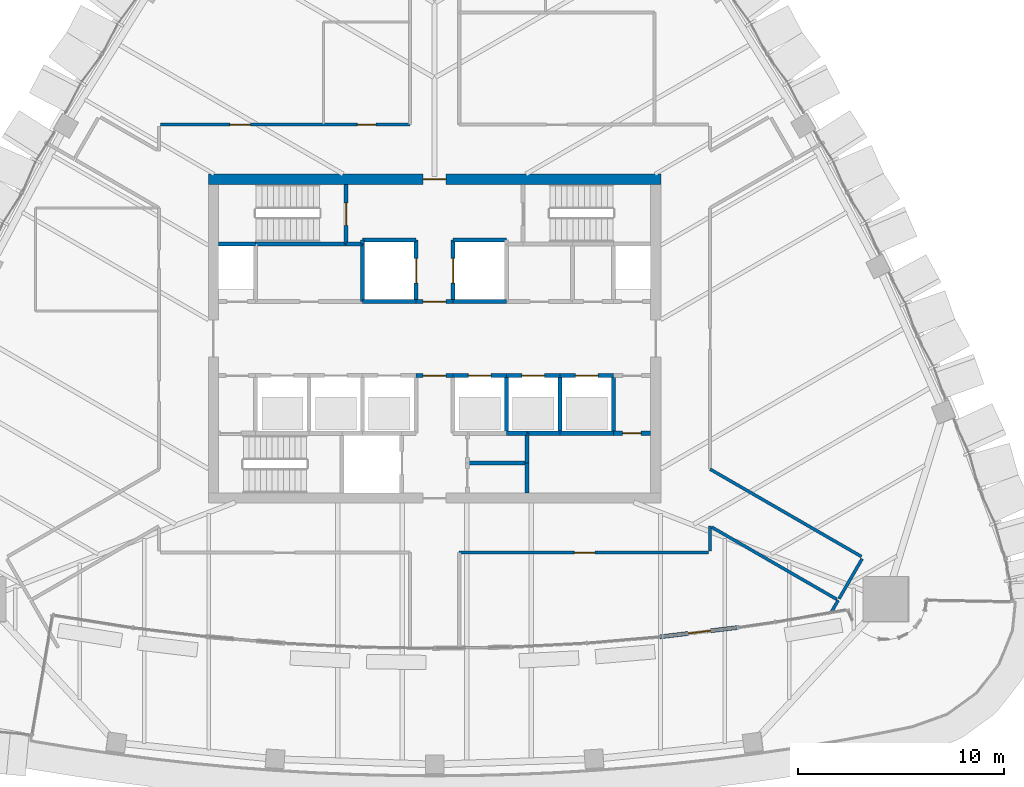
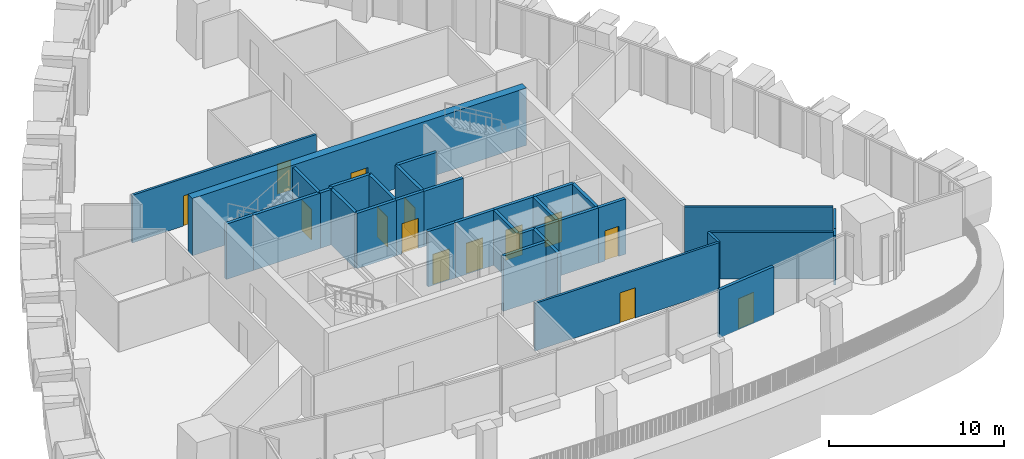
# One storey, part 14 of 22: 36 walls, 14 doors, 14 openings.
"""IFC4 building model written with IfcOpenShell, lengths in metres."""

import ifcopenshell
import ifcopenshell.guid

model = None  # the IFC model being written
_history = None  # IfcOwnerHistory: only IFC2X3 demands one
_inside = {}  # id of a spatial element -> (the spatial element, [elements in it])
_under = {}  # id of a project, library or spatial element -> (it, [spatial elements below it])
_declared = {}  # id of a project -> (the project, [libraries it declares])
_typed = {}  # id of a type object -> (the type object, [elements of that type])
_made_of = {}  # id of a material, layer set ... -> (it, [elements and type objects made of it])


def new_model(schema):
    """Start an empty IFC model of exactly this schema.

    Asked for "IFC4X3", IfcOpenShell would pick the latest addendum, in which some entities
    have other attributes; the version numbers below select the first issue.
    IFC2X3 requires an IfcOwnerHistory on every rooted entity: one is made here for all.
    """
    global model, _history
    if schema == "IFC4X3":
        model = ifcopenshell.file(schema_version=(4, 3, 0, 0))
    else:
        model = ifcopenshell.file(schema=schema)
    _inside.clear()
    _under.clear()
    _declared.clear()
    _typed.clear()
    _made_of.clear()
    _history = None
    if model.schema == "IFC2X3":
        org = make("IfcOrganization", Name="unknown")
        user = make(
            "IfcPersonAndOrganization",
            ThePerson=make("IfcPerson", FamilyName="unknown"),
            TheOrganization=org,
        )
        app = make(
            "IfcApplication",
            ApplicationDeveloper=org,
            Version="unknown",
            ApplicationFullName="unknown",
            ApplicationIdentifier="unknown",
        )
        _history = make(
            "IfcOwnerHistory",
            OwningUser=user,
            OwningApplication=app,
            ChangeAction="ADDED",
            CreationDate=0,
        )
    return model


def make(cls, **values):
    """One entity of the class cls with the attributes given. An attribute that is None is left unset."""
    return model.create_entity(
        cls, **{name: value for name, value in values.items() if value is not None}
    )


def rooted(cls, **values):
    """An entity with a GlobalId (a new one), such as an element, a storey or a relation."""
    return make(cls, GlobalId=ifcopenshell.guid.new(), OwnerHistory=_history, **values)


def si_unit(unit_type, name, prefix=None):
    """IfcSIUnit, for example si_unit("LENGTHUNIT", "METRE", prefix="MILLI")."""
    return make("IfcSIUnit", UnitType=unit_type, Prefix=prefix, Name=name)


def assignment(units):
    """IfcUnitAssignment: the units of a project."""
    return None if units is None else make("IfcUnitAssignment", Units=units)


def point(xyz):
    """IfcCartesianPoint."""
    return None if xyz is None else make("IfcCartesianPoint", Coordinates=xyz)


def direction(xyz):
    """IfcDirection."""
    return None if xyz is None else make("IfcDirection", DirectionRatios=xyz)


def frame(location, z_axis=None, x_axis=None):
    """IfcAxis2Placement3D, a coordinate frame: its origin and axes. An axis left out is left unset."""
    return make(
        "IfcAxis2Placement3D",
        Location=point(location),
        Axis=direction(z_axis),
        RefDirection=direction(x_axis),
    )


def frame_2d(location, x_axis=None):
    """IfcAxis2Placement2D, a coordinate frame in the plane: its origin and x axis."""
    return make(
        "IfcAxis2Placement2D", Location=point(location), RefDirection=direction(x_axis)
    )


def origin():
    """The frame at (0, 0, 0) with its axes left unset."""
    return frame((0.0, 0.0, 0.0))


def place(relative_to, where):
    """IfcLocalPlacement: puts the frame where relative to a parent placement (None: the world)."""
    return make(
        "IfcLocalPlacement", PlacementRelTo=relative_to, RelativePlacement=where
    )


def context(
    kind, dimensions, precision=None, world=None, true_north=None, identifier=None
):
    """IfcGeometricRepresentationContext, for example the 3D "Model" context."""
    return make(
        "IfcGeometricRepresentationContext",
        ContextIdentifier=identifier,
        ContextType=kind,
        CoordinateSpaceDimension=dimensions,
        Precision=precision,
        WorldCoordinateSystem=world,
        TrueNorth=true_north,
    )


def subcontext(parent, identifier, kind, view, scale=None):
    """IfcGeometricRepresentationSubContext, for example "Body" below "Model"."""
    return make(
        "IfcGeometricRepresentationSubContext",
        ContextIdentifier=identifier,
        ContextType=kind,
        ParentContext=parent,
        TargetScale=scale,
        TargetView=view,
    )


def project(units=None, contexts=None):
    """IfcProject with its units and contexts."""
    return rooted(
        "IfcProject",
        Name="project",
        RepresentationContexts=contexts,
        UnitsInContext=assignment(units),
    )


def spatial(cls, under=None, at=None, **own):
    """A site, building, storey or space (cls), placed at a placement, below another one or the project."""
    s = rooted(cls, ObjectPlacement=at, **own)
    if under is not None:
        _under.setdefault(under.id(), (under, []))[1].append(s)
    return s


def profile(cls, at=None, kind="AREA", **sizes):
    """A parametric profile (cls). Its sizes go by their IFC names, for example OverallWidth=200.0."""
    return make(cls, ProfileType=kind, Position=at, **sizes)


def rectangle(**sizes):
    """IfcRectangleProfileDef."""
    return profile("IfcRectangleProfileDef", **sizes)


def extrude(swept, where, along, depth):
    """IfcExtrudedAreaSolid: the profile swept, set in the frame where, extruded along a direction by depth."""
    return make(
        "IfcExtrudedAreaSolid",
        SweptArea=swept,
        Position=where,
        ExtrudedDirection=direction(along),
        Depth=depth,
    )


def shape(context_of_items, identifier, shape_type, items):
    """IfcShapeRepresentation: the items that make up one representation, for example the "Body"."""
    return make(
        "IfcShapeRepresentation",
        ContextOfItems=context_of_items,
        RepresentationIdentifier=identifier,
        RepresentationType=shape_type,
        Items=items,
    )


def material(Name=None, Category=None):
    """IfcMaterial."""
    return make("IfcMaterial", Name=Name, Category=Category)


def layer(
    of_material, thickness, ventilated=None, Name=None, Category=None, Priority=None
):
    """IfcMaterialLayer: one layer of a wall or slab, of a material (None: an air gap)."""
    return make(
        "IfcMaterialLayer",
        Material=of_material,
        LayerThickness=thickness,
        IsVentilated=ventilated,
        Name=Name,
        Category=Category,
        Priority=Priority,
    )


def layer_set(layers, Name=None):
    """IfcMaterialLayerSet."""
    return make("IfcMaterialLayerSet", MaterialLayers=layers, LayerSetName=Name)


def made_of(thing, what):
    """Note that an element or type object is made of a material, layer set ...; save() writes the relation."""
    if what is not None:
        _made_of.setdefault(what.id(), (what, []))[1].append(thing)
    return thing


def type_object(cls, material=None, **own):
    """A type object (cls), such as IfcWallType, which elements share."""
    return made_of(rooted(cls, **own), material)


def element(
    cls,
    number,
    at=None,
    inside=None,
    cuts=None,
    type_object=None,
    material=None,
    context=None,
    identifier="Body",
    shape_type=None,
    held_by="IfcProductDefinitionShape",
    body=None,
    shapes=None,
    **own,
):
    """One element of the class cls, such as IfcWall. Its Tag is "e" and its number.

    at: its placement. inside: the storey or other place that contains it. cuts: it is an
    opening in that element (IfcRelVoidsElement). A single representation is given by context,
    identifier, shape_type and body (its items); several are given by shapes. held_by: the class
    of the entity that holds the representations. save() writes the other relations.
    """
    e = rooted(cls, Tag="e%d" % number, ObjectPlacement=at, **own)
    if body is not None:
        shapes = [shape(context, identifier, shape_type, body)]
    if shapes is not None:
        e.Representation = make(held_by, Representations=shapes)
    if inside is not None:
        _inside.setdefault(inside.id(), (inside, []))[1].append(e)
    if cuts is not None:
        rooted(
            "IfcRelVoidsElement", RelatingBuildingElement=cuts, RelatedOpeningElement=e
        )
    if type_object is not None:
        _typed.setdefault(type_object.id(), (type_object, []))[1].append(e)
    return made_of(e, material)


def fill(opening, filler):
    """IfcRelFillsElement: the door or window that sits in an opening."""
    return rooted(
        "IfcRelFillsElement",
        RelatingOpeningElement=opening,
        RelatedBuildingElement=filler,
    )


def aggregate(whole, parts):
    """IfcRelAggregates: a whole, such as a stair, and the parts it consists of."""
    return rooted("IfcRelAggregates", RelatingObject=whole, RelatedObjects=parts)


def save(model, path):
    """Write the relations noted so far, then the file.

    IfcRelAggregates (storeys below a building ...), IfcRelContainedInSpatialStructure (elements
    in a storey), IfcRelDefinesByType, IfcRelAssociatesMaterial and IfcRelDeclares: one each for
    every whole, place, type object, material and project.
    """
    for whole, parts in _under.values():
        aggregate(whole, parts)
    for where, things in _inside.values():
        rooted(
            "IfcRelContainedInSpatialStructure",
            RelatedElements=things,
            RelatingStructure=where,
        )
    for kind, things in _typed.values():
        rooted("IfcRelDefinesByType", RelatedObjects=things, RelatingType=kind)
    for what, things in _made_of.values():
        rooted("IfcRelAssociatesMaterial", RelatedObjects=things, RelatingMaterial=what)
    for by, libraries in _declared.values():
        rooted("IfcRelDeclares", RelatingContext=by, RelatedDefinitions=libraries)
    model.write(path)


model = new_model("IFC4")

# Units and contexts
model_context = context("Model", 3, precision=1e-05, world=origin(), true_north=direction((0.0, 1.0)))
body_context = subcontext(model_context, "Body", "Model", "MODEL_VIEW")
ifc_project = project(units=[si_unit("LENGTHUNIT", "METRE"), si_unit("AREAUNIT", "SQUARE_METRE"), si_unit("VOLUMEUNIT", "CUBIC_METRE"), si_unit("PLANEANGLEUNIT", "RADIAN"), si_unit("MASSUNIT", "GRAM", prefix="KILO")], contexts=[model_context])

# Site, building, storey
site_placement = place(None, origin())
site = spatial("IfcSite", under=ifc_project, at=site_placement, CompositionType="ELEMENT")
building_placement = place(site_placement, origin())
building = spatial("IfcBuilding", under=site, at=building_placement, Name="Sierra Prisma Convention Tower", CompositionType="ELEMENT")
storey_placement = place(building_placement, frame((0.0, 0.0, 243.0)))
storey = spatial("IfcBuildingStorey", under=building, at=storey_placement, Name="L54", CompositionType="ELEMENT", Elevation=243.0)

# Walls
ifc_material_1 = material(Name="Concrete C30/37", Category="concrete")
ifc_layer_1 = layer(ifc_material_1, 0.199951171875)
ifc_layer_set_1 = layer_set([ifc_layer_1], Name="Core wall RC 200 C30/37")
wall_type_1 = type_object("IfcWallType", Name="Core wall RC 200 C30/37", PredefinedType="SOLIDWALL", material=ifc_layer_set_1)
wall_1_placement = place(storey_placement, frame((-8.699951171875, 4.60009765625, 0.0), z_axis=(0.0, 0.0, 1.0), x_axis=(-1.0, 0.0, 0.0)))
element("IfcWall", 1, at=wall_1_placement, inside=storey, type_object=wall_type_1, Name="Core wall L54 4", PredefinedType="SOLIDWALL", context=body_context, shape_type="SweptSolid", body=[
    extrude(rectangle(XDim=1.800048828125, YDim=0.199951171875, at=frame_2d((0.89990234375, 0.0))), origin(), (0.0, 0.0, 1.0), 3.85009765625),
])
wall_2_placement = place(storey_placement, frame((-4.300048828125, 4.60009765625, 0.0), z_axis=(0.0, 0.0, 1.0), x_axis=(-1.0, 0.0, 0.0)))
element("IfcWall", 2, at=wall_2_placement, inside=storey, type_object=wall_type_1, Name="Core wall L54 10", PredefinedType="SOLIDWALL", context=body_context, shape_type="SweptSolid", body=[
    extrude(rectangle(XDim=4.39990234375, YDim=0.199951171875, at=frame_2d((2.199951171875, 0.0))), origin(), (0.0, 0.0, 1.0), 3.85009765625),
])
wall_3_placement = place(storey_placement, frame((-3.5, 4.60009765625, 0.0), z_axis=(0.0, 0.0, 1.0), x_axis=(-1.0, 0.0, 0.0)))
element("IfcWall", 3, at=wall_3_placement, inside=storey, type_object=wall_type_1, Name="Core wall L54 16", PredefinedType="SOLIDWALL", context=body_context, shape_type="SweptSolid", body=[
    extrude(rectangle(XDim=0.800048828125, YDim=0.199951171875, at=frame_2d((0.39990234375, 0.0))), origin(), (0.0, 0.0, 1.0), 3.85009765625),
])

# Wall, opening, door
wall_4_placement = place(storey_placement, frame((-4.300048828125, 4.60009765625, 0.0), z_axis=(0.0, 0.0, 1.0), x_axis=(0.0, 1.0, 0.0)))
wall_4 = element("IfcWall", 4, at=wall_4_placement, inside=storey, type_object=wall_type_1, Name="Core wall L54 17", PredefinedType="SOLIDWALL", context=body_context, shape_type="SweptSolid", body=[
    extrude(rectangle(XDim=2.89990234375, YDim=0.199951171875, at=frame_2d((1.449951171875, 0.0))), origin(), (0.0, 0.0, 1.0), 3.85009765625),
])
opening_1_placement = place(wall_4_placement, frame((0.89990234375, 0.0, 0.0)))
opening_1 = element("IfcOpeningElement", 5, at=opening_1_placement, cuts=wall_4, Name="Opening L54-D019", PredefinedType="OPENING", context=body_context, shape_type="SweptSolid", body=[
    extrude(rectangle(XDim=1.10009765625, YDim=2.10009765625, at=frame_2d((0.550048828125, 1.050048828125))), frame((0.0, 0.10009765625, 0.0), z_axis=(0.0, -1.0, 0.0), x_axis=(1.0, 0.0, 0.0)), (0.0, 0.0, 1.0), 0.199951171875),
])
ifc_material_2 = material(Name="Steel fire door leaf", Category="steel")
door_type_1 = type_object("IfcDoorType", Name="Door 1100x2100 FD90S", OperationType="SINGLE_SWING_LEFT", PredefinedType="DOOR", material=ifc_material_2)
door_1_placement = place(opening_1_placement, origin())
door_1 = element("IfcDoor", 6, at=door_1_placement, inside=storey, type_object=door_type_1, Name="Door L54 26", OperationType="SINGLE_SWING_LEFT", OverallHeight=2.10009765625, OverallWidth=1.10009765625, PredefinedType="DOOR", context=body_context, shape_type="SweptSolid", body=[
    extrude(rectangle(XDim=1.10009765625, YDim=2.10009765625, at=frame_2d((0.550048828125, 1.050048828125))), frame((0.0, 0.02490234375, 0.0), z_axis=(0.0, -1.0, 0.0), x_axis=(1.0, 0.0, 0.0)), (0.0, 0.0, 1.0), 0.050048828125),
])
fill(opening_1, door_1)

# Walls
wall_5_placement = place(storey_placement, frame((-0.89990234375, 1.800048828125, 0.0), z_axis=(0.0, 0.0, 1.0), x_axis=(-1.0, 0.0, 0.0)))
element("IfcWall", 7, at=wall_5_placement, inside=storey, type_object=wall_type_1, Name="Core wall L54 21", PredefinedType="SOLIDWALL", context=body_context, shape_type="SweptSolid", body=[
    extrude(rectangle(XDim=2.60009765625, YDim=0.199951171875, at=frame_2d((1.300048828125, 0.0))), origin(), (0.0, 0.0, 1.0), 3.85009765625),
])
wall_6_placement = place(storey_placement, frame((-3.5, 1.800048828125, 0.0), z_axis=(0.0, 0.0, 1.0), x_axis=(0.0, 1.0, 0.0)))
element("IfcWall", 8, at=wall_6_placement, inside=storey, type_object=wall_type_1, Name="Core wall L54 22", PredefinedType="SOLIDWALL", context=body_context, shape_type="SweptSolid", body=[
    extrude(rectangle(XDim=2.800048828125, YDim=0.199951171875, at=frame_2d((1.39990234375, 0.0))), origin(), (0.0, 0.0, 1.0), 3.85009765625),
])

# Wall, opening, door
wall_7_placement = place(storey_placement, frame((-0.89990234375, 1.800048828125, 0.0), z_axis=(0.0, 0.0, 1.0), x_axis=(0.0, 1.0, 0.0)))
wall_7 = element("IfcWall", 9, at=wall_7_placement, inside=storey, type_object=wall_type_1, Name="Core wall L54 23", PredefinedType="SOLIDWALL", context=body_context, shape_type="SweptSolid", body=[
    extrude(rectangle(XDim=3.0, YDim=0.199951171875, at=frame_2d((1.5, 0.0))), origin(), (0.0, 0.0, 1.0), 3.85009765625),
])
opening_2_placement = place(wall_7_placement, frame((0.89990234375, 0.0, 0.0)))
opening_2 = element("IfcOpeningElement", 10, at=opening_2_placement, cuts=wall_7, Name="Opening L54-D010", PredefinedType="OPENING", context=body_context, shape_type="SweptSolid", body=[
    extrude(rectangle(XDim=1.199951171875, YDim=2.10009765625, at=frame_2d((0.60009765625, 1.050048828125))), frame((0.0, 0.10009765625, 0.0), z_axis=(0.0, -1.0, 0.0), x_axis=(1.0, 0.0, 0.0)), (0.0, 0.0, 1.0), 0.199951171875),
])
ifc_material_3 = material(Name="Steel fire door leaf", Category="steel")
door_type_2 = type_object("IfcDoorType", Name="Door 1200x2100 EI 90 sliding lift landing", OperationType="SLIDING_TO_LEFT", PredefinedType="DOOR", material=ifc_material_3)
door_2_placement = place(opening_2_placement, origin())
door_2 = element("IfcDoor", 11, at=door_2_placement, inside=storey, type_object=door_type_2, Name="Door L54 17", OperationType="SLIDING_TO_LEFT", OverallHeight=2.10009765625, OverallWidth=1.199951171875, PredefinedType="DOOR", context=body_context, shape_type="SweptSolid", body=[
    extrude(rectangle(XDim=1.199951171875, YDim=2.10009765625, at=frame_2d((0.60009765625, 1.050048828125))), frame((0.0, 0.02490234375, 0.0), z_axis=(0.0, -1.0, 0.0), x_axis=(1.0, 0.0, 0.0)), (0.0, 0.0, 1.0), 0.050048828125),
])
fill(opening_2, door_2)

# Walls
wall_8_placement = place(storey_placement, frame((-0.89990234375, 4.800048828125, 0.0), z_axis=(0.0, 0.0, 1.0), x_axis=(-1.0, 0.0, 0.0)))
element("IfcWall", 12, at=wall_8_placement, inside=storey, type_object=wall_type_1, Name="Core wall L54 24", PredefinedType="SOLIDWALL", context=body_context, shape_type="SweptSolid", body=[
    extrude(rectangle(XDim=2.60009765625, YDim=0.199951171875, at=frame_2d((1.300048828125, 0.0))), origin(), (0.0, 0.0, 1.0), 3.85009765625),
])
wall_9_placement = place(storey_placement, frame((-3.5, 4.800048828125, 0.0), z_axis=(0.0, 0.0, 1.0), x_axis=(0.0, -1.0, 0.0)))
element("IfcWall", 13, at=wall_9_placement, inside=storey, type_object=wall_type_1, Name="Core wall L54 25", PredefinedType="SOLIDWALL", context=body_context, shape_type="SweptSolid", body=[
    extrude(rectangle(XDim=0.199951171875, YDim=0.199951171875, at=frame_2d((0.10009765625, 0.0))), origin(), (0.0, 0.0, 1.0), 3.85009765625),
])

# Wall, opening, door
wall_10_placement = place(storey_placement, frame((-0.89990234375, -1.800048828125, 0.0), z_axis=(0.0, 0.0, 1.0), x_axis=(1.0, 0.0, 0.0)))
wall_10 = element("IfcWall", 14, at=wall_10_placement, inside=storey, type_object=wall_type_1, Name="Core wall L54 29", PredefinedType="SOLIDWALL", context=body_context, shape_type="SweptSolid", body=[
    extrude(rectangle(XDim=1.7998046875, YDim=0.199951171875, at=frame_2d((0.89990234375, 0.0))), origin(), (0.0, 0.0, 1.0), 3.85009765625),
])
opening_3_placement = place(wall_10_placement, frame((0.35009765625, 0.0, 0.0)))
opening_3 = element("IfcOpeningElement", 15, at=opening_3_placement, cuts=wall_10, Name="Opening L54-D015", PredefinedType="OPENING", context=body_context, shape_type="SweptSolid", body=[
    extrude(rectangle(XDim=1.10009765625, YDim=2.10009765625, at=frame_2d((0.550048828125, 1.050048828125))), frame((0.0, 0.10009765625, 0.0), z_axis=(0.0, -1.0, 0.0), x_axis=(1.0, 0.0, 0.0)), (0.0, 0.0, 1.0), 0.199951171875),
])
ifc_material_4 = material(Name="Steel fire door leaf", Category="steel")
door_type_3 = type_object("IfcDoorType", Name="Door 1100x2100 FD30S", OperationType="SINGLE_SWING_LEFT", PredefinedType="DOOR", material=ifc_material_4)
door_3_placement = place(opening_3_placement, origin())
door_3 = element("IfcDoor", 16, at=door_3_placement, inside=storey, type_object=door_type_3, Name="Door L54 22", OperationType="SINGLE_SWING_LEFT", OverallHeight=2.10009765625, OverallWidth=1.10009765625, PredefinedType="DOOR", context=body_context, shape_type="SweptSolid", body=[
    extrude(rectangle(XDim=1.10009765625, YDim=2.10009765625, at=frame_2d((0.550048828125, 1.050048828125))), frame((0.0, 0.02490234375, 0.0), z_axis=(0.0, -1.0, 0.0), x_axis=(1.0, 0.0, 0.0)), (0.0, 0.0, 1.0), 0.050048828125),
])
fill(opening_3, door_3)

wall_11_placement = place(storey_placement, frame((0.89990234375, 1.800048828125, 0.0), z_axis=(0.0, 0.0, 1.0), x_axis=(-1.0, 0.0, 0.0)))
wall_11 = element("IfcWall", 17, at=wall_11_placement, inside=storey, type_object=wall_type_1, Name="Core wall L54 30", PredefinedType="SOLIDWALL", context=body_context, shape_type="SweptSolid", body=[
    extrude(rectangle(XDim=1.7998046875, YDim=0.199951171875, at=frame_2d((0.89990234375, 0.0))), origin(), (0.0, 0.0, 1.0), 3.85009765625),
])
opening_4_placement = place(wall_11_placement, frame((0.35009765625, 0.0, 0.0)))
opening_4 = element("IfcOpeningElement", 18, at=opening_4_placement, cuts=wall_11, Name="Opening L54-D014", PredefinedType="OPENING", context=body_context, shape_type="SweptSolid", body=[
    extrude(rectangle(XDim=1.10009765625, YDim=2.10009765625, at=frame_2d((0.550048828125, 1.050048828125))), frame((0.0, 0.10009765625, 0.0), z_axis=(0.0, -1.0, 0.0), x_axis=(1.0, 0.0, 0.0)), (0.0, 0.0, 1.0), 0.199951171875),
])
ifc_material_5 = material(Name="Steel fire door leaf", Category="steel")
door_type_4 = type_object("IfcDoorType", Name="Door 1100x2100 FD60S", OperationType="SINGLE_SWING_LEFT", PredefinedType="DOOR", material=ifc_material_5)
door_4_placement = place(opening_4_placement, origin())
door_4 = element("IfcDoor", 19, at=door_4_placement, inside=storey, type_object=door_type_4, Name="Door L54 21", OperationType="SINGLE_SWING_RIGHT", OverallHeight=2.10009765625, OverallWidth=1.10009765625, PredefinedType="DOOR", context=body_context, shape_type="SweptSolid", body=[
    extrude(rectangle(XDim=1.10009765625, YDim=2.10009765625, at=frame_2d((0.550048828125, 1.050048828125))), frame((0.0, 0.02490234375, 0.0), z_axis=(0.0, -1.0, 0.0), x_axis=(1.0, 0.0, 0.0)), (0.0, 0.0, 1.0), 0.050048828125),
])
fill(opening_4, door_4)

wall_12_placement = place(storey_placement, frame((0.89990234375, -1.800048828125, 0.0), z_axis=(0.0, 0.0, 1.0), x_axis=(1.0, 0.0, 0.0)))
wall_12 = element("IfcWall", 20, at=wall_12_placement, inside=storey, type_object=wall_type_1, Name="Core wall L54 31", PredefinedType="SOLIDWALL", context=body_context, shape_type="SweptSolid", body=[
    extrude(rectangle(XDim=2.60009765625, YDim=0.199951171875, at=frame_2d((1.300048828125, 0.0))), origin(), (0.0, 0.0, 1.0), 3.85009765625),
])
opening_5_placement = place(wall_12_placement, frame((0.75, 0.0, 0.0)))
opening_5 = element("IfcOpeningElement", 21, at=opening_5_placement, cuts=wall_12, Name="Opening L54-D007", PredefinedType="OPENING", context=body_context, shape_type="SweptSolid", body=[
    extrude(rectangle(XDim=1.10009765625, YDim=2.10009765625, at=frame_2d((0.550048828125, 1.050048828125))), frame((0.0, 0.10009765625, 0.0), z_axis=(0.0, -1.0, 0.0), x_axis=(1.0, 0.0, 0.0)), (0.0, 0.0, 1.0), 0.199951171875),
])
ifc_material_6 = material(Name="Steel fire door leaf", Category="steel")
door_type_5 = type_object("IfcDoorType", Name="Door 1100x2100 EI 90 sliding lift landing", OperationType="SLIDING_TO_LEFT", PredefinedType="DOOR", material=ifc_material_6)
door_5_placement = place(opening_5_placement, origin())
door_5 = element("IfcDoor", 22, at=door_5_placement, inside=storey, type_object=door_type_5, Name="Door L54 14", OperationType="SLIDING_TO_LEFT", OverallHeight=2.10009765625, OverallWidth=1.10009765625, PredefinedType="DOOR", context=body_context, shape_type="SweptSolid", body=[
    extrude(rectangle(XDim=1.10009765625, YDim=2.10009765625, at=frame_2d((0.550048828125, 1.050048828125))), frame((0.0, 0.02490234375, 0.0), z_axis=(0.0, -1.0, 0.0), x_axis=(1.0, 0.0, 0.0)), (0.0, 0.0, 1.0), 0.050048828125),
])
fill(opening_5, door_5)

# Walls
for number, where, z_axis, x_axis, name in (
    (23, (3.5, 1.800048828125, 0.0), (0.0, 0.0, 1.0), (-1.0, 0.0, 0.0), "Core wall L54 34"),
    (24, (3.5, 4.800048828125, 0.0), (0.0, 0.0, 1.0), (-1.0, 0.0, 0.0), "Core wall L54 36"),
):
    element("IfcWall", number, at=place(storey_placement, frame(where, z_axis=z_axis, x_axis=x_axis)), inside=storey, type_object=wall_type_1, Name=name, PredefinedType="SOLIDWALL", context=body_context, shape_type="SweptSolid", body=[
        extrude(rectangle(XDim=2.60009765625, YDim=0.199951171875, at=frame_2d((1.300048828125, 0.0))), origin(), (0.0, 0.0, 1.0), 3.85009765625),
    ])

# Wall, opening, door
wall_13_placement = place(storey_placement, frame((0.89990234375, 4.800048828125, 0.0), z_axis=(0.0, 0.0, 1.0), x_axis=(0.0, -1.0, 0.0)))
wall_13 = element("IfcWall", 25, at=wall_13_placement, inside=storey, type_object=wall_type_1, Name="Core wall L54 37", PredefinedType="SOLIDWALL", context=body_context, shape_type="SweptSolid", body=[
    extrude(rectangle(XDim=3.0, YDim=0.199951171875, at=frame_2d((1.5, 0.0))), origin(), (0.0, 0.0, 1.0), 3.85009765625),
])
opening_6_placement = place(wall_13_placement, frame((0.89990234375, 0.0, 0.0)))
opening_6 = element("IfcOpeningElement", 26, at=opening_6_placement, cuts=wall_13, Name="Opening L54-D011", PredefinedType="OPENING", context=body_context, shape_type="SweptSolid", body=[
    extrude(rectangle(XDim=1.199951171875, YDim=2.10009765625, at=frame_2d((0.60009765625, 1.050048828125))), frame((0.0, 0.10009765625, 0.0), z_axis=(0.0, -1.0, 0.0), x_axis=(1.0, 0.0, 0.0)), (0.0, 0.0, 1.0), 0.199951171875),
])
door_6_placement = place(opening_6_placement, origin())
door_6 = element("IfcDoor", 27, at=door_6_placement, inside=storey, type_object=door_type_2, Name="Door L54 18", OperationType="SLIDING_TO_RIGHT", OverallHeight=2.10009765625, OverallWidth=1.199951171875, PredefinedType="DOOR", context=body_context, shape_type="SweptSolid", body=[
    extrude(rectangle(XDim=1.199951171875, YDim=2.10009765625, at=frame_2d((0.60009765625, 1.050048828125))), frame((0.0, 0.02490234375, 0.0), z_axis=(0.0, -1.0, 0.0), x_axis=(1.0, 0.0, 0.0)), (0.0, 0.0, 1.0), 0.050048828125),
])
fill(opening_6, door_6)

# Walls
wall_14_placement = place(storey_placement, frame((4.5, -6.050048828125, 0.0), z_axis=(0.0, 0.0, 1.0), x_axis=(-1.0, 0.0, 0.0)))
element("IfcWall", 28, at=wall_14_placement, inside=storey, type_object=wall_type_1, Name="Core wall L54 39", PredefinedType="SOLIDWALL", context=body_context, shape_type="SweptSolid", body=[
    extrude(rectangle(XDim=2.89990234375, YDim=0.199951171875, at=frame_2d((1.449951171875, 0.0))), origin(), (0.0, 0.0, 1.0), 3.85009765625),
])
wall_15_placement = place(storey_placement, frame((4.5, -4.60009765625, 0.0), z_axis=(0.0, 0.0, 1.0), x_axis=(-1.0, 0.0, 0.0)))
element("IfcWall", 29, at=wall_15_placement, inside=storey, type_object=wall_type_1, Name="Core wall L54 42", PredefinedType="SOLIDWALL", context=body_context, shape_type="SweptSolid", body=[
    extrude(rectangle(XDim=1.0, YDim=0.199951171875, at=frame_2d((0.5, 0.0))), origin(), (0.0, 0.0, 1.0), 3.85009765625),
])
wall_16_placement = place(storey_placement, frame((3.5, -4.60009765625, 0.0), z_axis=(0.0, 0.0, 1.0), x_axis=(0.0, 1.0, 0.0)))
element("IfcWall", 30, at=wall_16_placement, inside=storey, type_object=wall_type_1, Name="Core wall L54 43", PredefinedType="SOLIDWALL", context=body_context, shape_type="SweptSolid", body=[
    extrude(rectangle(XDim=2.800048828125, YDim=0.199951171875, at=frame_2d((1.39990234375, 0.0))), origin(), (0.0, 0.0, 1.0), 3.85009765625),
])

# Wall, opening, door
wall_17_placement = place(storey_placement, frame((3.5, -1.800048828125, 0.0), z_axis=(0.0, 0.0, 1.0), x_axis=(1.0, 0.0, 0.0)))
wall_17 = element("IfcWall", 31, at=wall_17_placement, inside=storey, type_object=wall_type_1, Name="Core wall L54 44", PredefinedType="SOLIDWALL", context=body_context, shape_type="SweptSolid", body=[
    extrude(rectangle(XDim=2.60009765625, YDim=0.199951171875, at=frame_2d((1.300048828125, 0.0))), origin(), (0.0, 0.0, 1.0), 3.85009765625),
])
opening_7_placement = place(wall_17_placement, frame((0.75, 0.0, 0.0)))
opening_7 = element("IfcOpeningElement", 32, at=opening_7_placement, cuts=wall_17, Name="Opening L54-D008", PredefinedType="OPENING", context=body_context, shape_type="SweptSolid", body=[
    extrude(rectangle(XDim=1.10009765625, YDim=2.10009765625, at=frame_2d((0.550048828125, 1.050048828125))), frame((0.0, 0.10009765625, 0.0), z_axis=(0.0, -1.0, 0.0), x_axis=(1.0, 0.0, 0.0)), (0.0, 0.0, 1.0), 0.199951171875),
])
door_7_placement = place(opening_7_placement, origin())
door_7 = element("IfcDoor", 33, at=door_7_placement, inside=storey, type_object=door_type_5, Name="Door L54 15", OperationType="SLIDING_TO_LEFT", OverallHeight=2.10009765625, OverallWidth=1.10009765625, PredefinedType="DOOR", context=body_context, shape_type="SweptSolid", body=[
    extrude(rectangle(XDim=1.10009765625, YDim=2.10009765625, at=frame_2d((0.550048828125, 1.050048828125))), frame((0.0, 0.02490234375, 0.0), z_axis=(0.0, -1.0, 0.0), x_axis=(1.0, 0.0, 0.0)), (0.0, 0.0, 1.0), 0.050048828125),
])
fill(opening_7, door_7)

# Walls
for number, where, z_axis, x_axis, name in (
    (34, (4.5, -6.050048828125, 0.0), (0.0, 0.0, 1.0), (0.0, -1.0, 0.0), "Core wall L54 50"),
    (35, (4.5, -4.60009765625, 0.0), (0.0, 0.0, 1.0), (0.0, -1.0, 0.0), "Core wall L54 51"),
):
    element("IfcWall", number, at=place(storey_placement, frame(where, z_axis=z_axis, x_axis=x_axis)), inside=storey, type_object=wall_type_1, Name=name, PredefinedType="SOLIDWALL", context=body_context, shape_type="SweptSolid", body=[
        extrude(rectangle(XDim=1.449951171875, YDim=0.199951171875, at=frame_2d((0.72509765625, 0.0))), origin(), (0.0, 0.0, 1.0), 3.85009765625),
    ])
wall_18_placement = place(storey_placement, frame((6.10009765625, -4.60009765625, 0.0), z_axis=(0.0, 0.0, 1.0), x_axis=(-1.0, 0.0, 0.0)))
element("IfcWall", 36, at=wall_18_placement, inside=storey, type_object=wall_type_1, Name="Core wall L54 52", PredefinedType="SOLIDWALL", context=body_context, shape_type="SweptSolid", body=[
    extrude(rectangle(XDim=1.60009765625, YDim=0.199951171875, at=frame_2d((0.800048828125, 0.0))), origin(), (0.0, 0.0, 1.0), 3.85009765625),
])
wall_19_placement = place(storey_placement, frame((8.699951171875, -4.60009765625, 0.0), z_axis=(0.0, 0.0, 1.0), x_axis=(-1.0, 0.0, 0.0)))
element("IfcWall", 37, at=wall_19_placement, inside=storey, type_object=wall_type_1, Name="Core wall L54 53", PredefinedType="SOLIDWALL", context=body_context, shape_type="SweptSolid", body=[
    extrude(rectangle(XDim=2.599853515625, YDim=0.199951171875, at=frame_2d((1.2998046875, 0.0))), origin(), (0.0, 0.0, 1.0), 3.85009765625),
])
wall_20_placement = place(storey_placement, frame((6.10009765625, -4.60009765625, 0.0), z_axis=(0.0, 0.0, 1.0), x_axis=(0.0, 1.0, 0.0)))
element("IfcWall", 38, at=wall_20_placement, inside=storey, type_object=wall_type_1, Name="Core wall L54 54", PredefinedType="SOLIDWALL", context=body_context, shape_type="SweptSolid", body=[
    extrude(rectangle(XDim=2.800048828125, YDim=0.199951171875, at=frame_2d((1.39990234375, 0.0))), origin(), (0.0, 0.0, 1.0), 3.85009765625),
])

# Wall, opening, door
wall_21_placement = place(storey_placement, frame((6.10009765625, -1.800048828125, 0.0), z_axis=(0.0, 0.0, 1.0), x_axis=(1.0, 0.0, 0.0)))
wall_21 = element("IfcWall", 39, at=wall_21_placement, inside=storey, type_object=wall_type_1, Name="Core wall L54 55", PredefinedType="SOLIDWALL", context=body_context, shape_type="SweptSolid", body=[
    extrude(rectangle(XDim=2.599853515625, YDim=0.199951171875, at=frame_2d((1.2998046875, 0.0))), origin(), (0.0, 0.0, 1.0), 3.85009765625),
])
opening_8_placement = place(wall_21_placement, frame((0.75, 0.0, 0.0)))
opening_8 = element("IfcOpeningElement", 40, at=opening_8_placement, cuts=wall_21, Name="Opening L54-D009", PredefinedType="OPENING", context=body_context, shape_type="SweptSolid", body=[
    extrude(rectangle(XDim=1.10009765625, YDim=2.10009765625, at=frame_2d((0.550048828125, 1.050048828125))), frame((0.0, 0.10009765625, 0.0), z_axis=(0.0, -1.0, 0.0), x_axis=(1.0, 0.0, 0.0)), (0.0, 0.0, 1.0), 0.199951171875),
])
door_8_placement = place(opening_8_placement, origin())
door_8 = element("IfcDoor", 41, at=door_8_placement, inside=storey, type_object=door_type_5, Name="Door L54 16", OperationType="SLIDING_TO_RIGHT", OverallHeight=2.10009765625, OverallWidth=1.10009765625, PredefinedType="DOOR", context=body_context, shape_type="SweptSolid", body=[
    extrude(rectangle(XDim=1.10009765625, YDim=2.10009765625, at=frame_2d((0.550048828125, 1.050048828125))), frame((0.0, 0.02490234375, 0.0), z_axis=(0.0, -1.0, 0.0), x_axis=(1.0, 0.0, 0.0)), (0.0, 0.0, 1.0), 0.050048828125),
])
fill(opening_8, door_8)

wall_22_placement = place(storey_placement, frame((10.5, -4.60009765625, 0.0), z_axis=(0.0, 0.0, 1.0), x_axis=(-1.0, 0.0, 0.0)))
wall_22 = element("IfcWall", 42, at=wall_22_placement, inside=storey, type_object=wall_type_1, Name="Core wall L54 59", PredefinedType="SOLIDWALL", context=body_context, shape_type="SweptSolid", body=[
    extrude(rectangle(XDim=1.800048828125, YDim=0.199951171875, at=frame_2d((0.89990234375, 0.0))), origin(), (0.0, 0.0, 1.0), 3.85009765625),
])
opening_9_placement = place(wall_22_placement, frame((0.4599609375, 0.0, 0.0)))
opening_9 = element("IfcOpeningElement", 43, at=opening_9_placement, cuts=wall_22, Name="Opening L54-D024", PredefinedType="OPENING", context=body_context, shape_type="SweptSolid", body=[
    extrude(rectangle(XDim=0.89990234375, YDim=2.10009765625, at=frame_2d((0.449951171875, 1.050048828125))), frame((0.0, 0.10009765625, 0.0), z_axis=(0.0, -1.0, 0.0), x_axis=(1.0, 0.0, 0.0)), (0.0, 0.0, 1.0), 0.199951171875),
])
ifc_material_7 = material(Name="Steel fire door leaf", Category="steel")
door_type_6 = type_object("IfcDoorType", Name="Door 900x2100 FD30S", OperationType="SINGLE_SWING_LEFT", PredefinedType="DOOR", material=ifc_material_7)
door_9_placement = place(opening_9_placement, origin())
door_9 = element("IfcDoor", 44, at=door_9_placement, inside=storey, type_object=door_type_6, Name="Door L54 31", OperationType="SINGLE_SWING_RIGHT", OverallHeight=2.10009765625, OverallWidth=0.89990234375, PredefinedType="DOOR", context=body_context, shape_type="SweptSolid", body=[
    extrude(rectangle(XDim=0.89990234375, YDim=2.10009765625, at=frame_2d((0.449951171875, 1.050048828125))), frame((0.0, 0.02490234375, 0.0), z_axis=(0.0, -1.0, 0.0), x_axis=(1.0, 0.0, 0.0)), (0.0, 0.0, 1.0), 0.050048828125),
])
fill(opening_9, door_9)

# Wall
wall_23_placement = place(storey_placement, frame((8.699951171875, -1.800048828125, 0.0), z_axis=(0.0, 0.0, 1.0), x_axis=(0.0, -1.0, 0.0)))
element("IfcWall", 45, at=wall_23_placement, inside=storey, type_object=wall_type_1, Name="Core wall L54 60", PredefinedType="SOLIDWALL", context=body_context, shape_type="SweptSolid", body=[
    extrude(rectangle(XDim=2.800048828125, YDim=0.199951171875, at=frame_2d((1.39990234375, 0.0))), origin(), (0.0, 0.0, 1.0), 3.85009765625),
])

# Wall, opening, door
ifc_material_8 = material(Name="Concrete C50/60", Category="concrete")
ifc_layer_2 = layer(ifc_material_8, 0.5)
ifc_layer_set_2 = layer_set([ifc_layer_2], Name="Core wall RC 500 C50/60")
wall_type_2 = type_object("IfcWallType", Name="Core wall RC 500 C50/60", PredefinedType="SHEAR", material=ifc_layer_set_2)
wall_24_placement = place(storey_placement, frame((-11.0, 7.75, 0.0), z_axis=(0.0, 0.0, 1.0), x_axis=(1.0, 0.0, 0.0)))
wall_24 = element("IfcWall", 46, at=wall_24_placement, inside=storey, type_object=wall_type_2, Name="Core wall N L54", PredefinedType="SHEAR", context=body_context, shape_type="SweptSolid", body=[
    extrude(rectangle(XDim=22.0, YDim=0.5, at=frame_2d((11.0, 0.0))), origin(), (0.0, 0.0, 1.0), 4.0),
])
opening_10_placement = place(wall_24_placement, frame((10.449951171875, 0.0, 0.0)))
opening_10 = element("IfcOpeningElement", 47, at=opening_10_placement, cuts=wall_24, Name="Opening L54-D039", PredefinedType="OPENING", context=body_context, shape_type="SweptSolid", body=[
    extrude(rectangle(XDim=1.10009765625, YDim=2.10009765625, at=frame_2d((0.550048828125, 1.050048828125))), frame((0.0, 0.25, 0.0), z_axis=(0.0, -1.0, 0.0), x_axis=(1.0, 0.0, 0.0)), (0.0, 0.0, 1.0), 0.5),
])
door_10_placement = place(opening_10_placement, origin())
door_10 = element("IfcDoor", 48, at=door_10_placement, inside=storey, type_object=door_type_4, Name="Door L54 37", OperationType="SINGLE_SWING_RIGHT", OverallHeight=2.10009765625, OverallWidth=1.10009765625, PredefinedType="DOOR", context=body_context, shape_type="SweptSolid", body=[
    extrude(rectangle(XDim=1.10009765625, YDim=2.10009765625, at=frame_2d((0.550048828125, 1.050048828125))), frame((0.0, 0.02490234375, 0.0), z_axis=(0.0, -1.0, 0.0), x_axis=(1.0, 0.0, 0.0)), (0.0, 0.0, 1.0), 0.050048828125),
])
fill(opening_10, door_10)

# Wall, openings, doors
ifc_material_9 = material(Name="Gypsum board partition", Category="gypsum")
ifc_layer_3 = layer(ifc_material_9, 0.14990234375)
ifc_layer_set_3 = layer_set([ifc_layer_3], Name="Corridor wall 150 gypsum EI 60")
wall_type_3 = type_object("IfcWallType", Name="Corridor wall 150 gypsum EI 60", PredefinedType="PARTITIONING", material=ifc_layer_set_3)
wall_25_placement = place(storey_placement, frame((-1.199951171875, 10.39990234375, 0.0), z_axis=(0.0, 0.0, 1.0), x_axis=(-1.0, 0.0, 0.0)))
wall_25 = element("IfcWall", 49, at=wall_25_placement, inside=storey, type_object=wall_type_3, Name="Partition L54 corr 13", PredefinedType="PARTITIONING", context=body_context, shape_type="SweptSolid", body=[
    extrude(rectangle(XDim=12.1201171875, YDim=0.14990234375, at=frame_2d((6.06005859375, 0.0))), origin(), (0.0, 0.0, 1.0), 3.31689453125),
])
opening_11_placement = place(wall_25_placement, frame((1.64990234375, 0.0, 0.0)))
opening_11 = element("IfcOpeningElement", 50, at=opening_11_placement, cuts=wall_25, Name="Opening L54-D031", PredefinedType="OPENING", context=body_context, shape_type="SweptSolid", body=[
    extrude(rectangle(XDim=0.89990234375, YDim=2.10009765625, at=frame_2d((0.449951171875, 1.050048828125))), frame((0.0, 0.074951171875, 0.0), z_axis=(0.0, -1.0, 0.0), x_axis=(1.0, 0.0, 0.0)), (0.0, 0.0, 1.0), 0.14990234375),
])
opening_12_placement = place(wall_25_placement, frame((7.75, 0.0, 0.0)))
opening_12 = element("IfcOpeningElement", 51, at=opening_12_placement, cuts=wall_25, Name="Opening L54-D032", PredefinedType="OPENING", context=body_context, shape_type="SweptSolid", body=[
    extrude(rectangle(XDim=1.0, YDim=2.10009765625, at=frame_2d((0.5, 1.050048828125))), frame((0.0, 0.074951171875, 0.0), z_axis=(0.0, -1.0, 0.0), x_axis=(1.0, 0.0, 0.0)), (0.0, 0.0, 1.0), 0.14990234375),
])
ifc_material_10 = material(Name="Steel fire door leaf", Category="steel")
door_type_7 = type_object("IfcDoorType", Name="Door 1000x2100 FD30S", OperationType="SINGLE_SWING_LEFT", PredefinedType="DOOR", material=ifc_material_10)
door_11_placement = place(opening_12_placement, origin())
door_11 = element("IfcDoor", 52, at=door_11_placement, inside=storey, type_object=door_type_7, Name="Door L54 5", OperationType="SINGLE_SWING_RIGHT", OverallHeight=2.10009765625, OverallWidth=1.0, PredefinedType="DOOR", context=body_context, shape_type="SweptSolid", body=[
    extrude(rectangle(XDim=1.0, YDim=2.10009765625, at=frame_2d((0.5, 1.050048828125))), frame((0.0, 0.02490234375, 0.0), z_axis=(0.0, -1.0, 0.0), x_axis=(1.0, 0.0, 0.0)), (0.0, 0.0, 1.0), 0.050048828125),
])
fill(opening_12, door_11)
door_12_placement = place(opening_11_placement, origin())
door_12 = element("IfcDoor", 53, at=door_12_placement, inside=storey, type_object=door_type_6, Name="Door L54 4", OperationType="SINGLE_SWING_RIGHT", OverallHeight=2.10009765625, OverallWidth=0.89990234375, PredefinedType="DOOR", context=body_context, shape_type="SweptSolid", body=[
    extrude(rectangle(XDim=0.89990234375, YDim=2.10009765625, at=frame_2d((0.449951171875, 1.050048828125))), frame((0.0, 0.02490234375, 0.0), z_axis=(0.0, -1.0, 0.0), x_axis=(1.0, 0.0, 0.0)), (0.0, 0.0, 1.0), 0.050048828125),
])
fill(opening_11, door_12)

# Wall, opening, door
wall_26_placement = place(storey_placement, frame((1.199951171875, -10.39990234375, 0.0), z_axis=(0.0, 0.0, 1.0), x_axis=(1.0, 0.0, 0.0)))
wall_26 = element("IfcWall", 54, at=wall_26_placement, inside=storey, type_object=wall_type_3, Name="Partition L54 corr 16", PredefinedType="PARTITIONING", context=body_context, shape_type="SweptSolid", body=[
    extrude(rectangle(XDim=12.1201171875, YDim=0.14990234375, at=frame_2d((6.06005859375, 0.0))), origin(), (0.0, 0.0, 1.0), 3.31689453125),
])
opening_13_placement = place(wall_26_placement, frame((5.60009765625, 0.0, 0.0)))
opening_13 = element("IfcOpeningElement", 55, at=opening_13_placement, cuts=wall_26, Name="Opening L54-D036", PredefinedType="OPENING", context=body_context, shape_type="SweptSolid", body=[
    extrude(rectangle(XDim=1.0, YDim=2.10009765625, at=frame_2d((0.5, 1.050048828125))), frame((0.0, 0.074951171875, 0.0), z_axis=(0.0, -1.0, 0.0), x_axis=(1.0, 0.0, 0.0)), (0.0, 0.0, 1.0), 0.14990234375),
])
door_13_placement = place(opening_13_placement, origin())
door_13 = element("IfcDoor", 56, at=door_13_placement, inside=storey, type_object=door_type_7, Name="Door L54 9", OperationType="SINGLE_SWING_RIGHT", OverallHeight=2.10009765625, OverallWidth=1.0, PredefinedType="DOOR", context=body_context, shape_type="SweptSolid", body=[
    extrude(rectangle(XDim=1.0, YDim=2.10009765625, at=frame_2d((0.5, 1.050048828125))), frame((0.0, 0.02490234375, 0.0), z_axis=(0.0, -1.0, 0.0), x_axis=(1.0, 0.0, 0.0)), (0.0, 0.0, 1.0), 0.050048828125),
])
fill(opening_13, door_13)

# Walls
wall_27_placement = place(storey_placement, frame((13.39990234375, -10.320068359375, 0.0), z_axis=(0.0, 0.0, 1.0), x_axis=(0.0, 1.0, 0.0)))
element("IfcWall", 57, at=wall_27_placement, inside=storey, type_object=wall_type_3, Name="Partition L54 corr 20", PredefinedType="PARTITIONING", context=body_context, shape_type="SweptSolid", body=[
    extrude(rectangle(XDim=1.197998046875, YDim=0.14990234375, at=frame_2d((0.59912109375, 0.0))), origin(), (0.0, 0.0, 1.0), 3.23291015625),
])
wall_28_placement = place(storey_placement, frame((13.479248046875, -9.16796875, 0.0), z_axis=(0.0, 0.0, 1.0), x_axis=(0.866031473494, -0.499989486807, 0.0)))
element("IfcWall", 58, at=wall_28_placement, inside=storey, type_object=wall_type_3, Name="Partition L54 corr 21", PredefinedType="PARTITIONING", context=body_context, shape_type="SweptSolid", body=[
    extrude(rectangle(XDim=7.017333984375, YDim=0.14990234375, at=frame_2d((3.5087890625, 0.0))), origin(), (0.0, 0.0, 1.0), 3.23291015625),
])
wall_29_placement = place(storey_placement, frame((20.75634765625, -10.597900390625, 0.0), z_axis=(0.0, 0.0, 1.0), x_axis=(-0.866034343295, 0.499984515995, 0.0)))
element("IfcWall", 59, at=wall_29_placement, inside=storey, type_object=wall_type_3, Name="Partition L54 corr 25", PredefinedType="PARTITIONING", context=body_context, shape_type="SweptSolid", body=[
    extrude(rectangle(XDim=8.494384765625, YDim=0.14990234375, at=frame_2d((4.2470703125, 0.0))), origin(), (0.0, 0.0, 1.0), 3.31689453125),
])
wall_30_placement = place(storey_placement, frame((19.66552734375, -12.647216796875, 0.0), z_axis=(0.0, 0.0, 1.0), x_axis=(0.500030632641, 0.866007717299, 0.0)))
element("IfcWall", 60, at=wall_30_placement, inside=storey, type_object=wall_type_3, Name="Partition L54 corr 28", PredefinedType="PARTITIONING", context=body_context, shape_type="SweptSolid", body=[
    extrude(rectangle(XDim=2.239990234375, YDim=0.14990234375, at=frame_2d((1.1201171875, 0.0))), origin(), (0.0, 0.0, 1.0), 3.23291015625),
])
ifc_material_11 = material(Name="Gypsum board partition", Category="gypsum")
ifc_layer_4 = layer(ifc_material_11, 0.14990234375)
ifc_layer_set_4 = layer_set([ifc_layer_4], Name="Party wall 150 gypsum")
wall_type_4 = type_object("IfcWallType", Name="Party wall 150 gypsum", PredefinedType="PARTITIONING", material=ifc_layer_set_4)
wall_31_placement = place(storey_placement, frame((19.62548828125, -12.716552734375, 0.0), z_axis=(0.0, 0.0, 1.0), x_axis=(-0.499996383721, -0.866027491634, 0.0)))
element("IfcWall", 61, at=wall_31_placement, inside=storey, type_object=wall_type_4, Name="Partition L54 party 7", PredefinedType="PARTITIONING", context=body_context, shape_type="SweptSolid", body=[
    extrude(rectangle(XDim=0.6943359375, YDim=0.14990234375, at=frame_2d((0.34716796875, 0.0))), origin(), (0.0, 0.0, 1.0), 3.449951171875),
])

# Wall, opening, door
ifc_material_12 = material(Name="Precast concrete C40/50", Category="concrete")
ifc_layer_5 = layer(ifc_material_12, 0.199951171875)
ifc_layer_set_5 = layer_set([ifc_layer_5], Name="Terrace door pier")
wall_type_5 = type_object("IfcWallType", Name="Terrace door pier", PredefinedType="SOLIDWALL", material=ifc_layer_set_5)
wall_32_placement = place(storey_placement, frame((10.959716796875, -14.499755859375, 0.0), z_axis=(0.0, 0.0, 1.0), x_axis=(0.992871762076, 0.119187516431, 0.0)))
wall_32 = element("IfcWall", 62, at=wall_32_placement, inside=storey, type_object=wall_type_5, Name="Terrace door bay L54.9", PredefinedType="SOLIDWALL", context=body_context, shape_type="SweptSolid", body=[
    extrude(rectangle(XDim=3.869384765625, YDim=0.199951171875, at=frame_2d((1.9345703125, 0.0))), origin(), (0.0, 0.0, 1.0), 3.340087890625),
])
opening_14_placement = place(wall_32_placement, frame((1.384521484375, 0.0, 0.0)))
opening_14 = element("IfcOpeningElement", 63, at=opening_14_placement, cuts=wall_32, Name="Opening L54-D003", PredefinedType="OPENING", context=body_context, shape_type="SweptSolid", body=[
    extrude(rectangle(XDim=1.10009765625, YDim=2.10009765625, at=frame_2d((0.550048828125, 1.050048828125))), frame((0.0, 0.10009765625, 0.0), z_axis=(0.0, -1.0, 0.0), x_axis=(1.0, 0.0, 0.0)), (0.0, 0.0, 1.0), 0.199951171875),
])
ifc_material_13 = material(Name="Bronze anodised aluminium and glass", Category="aluminium")
door_type_8 = type_object("IfcDoorType", Name="Terrace door 1100 x 2100", OperationType="SINGLE_SWING_LEFT", PredefinedType="DOOR", material=ifc_material_13)
door_14_placement = place(opening_14_placement, origin())
door_14 = element("IfcDoor", 64, at=door_14_placement, inside=storey, type_object=door_type_8, Name="Terrace door L54.9", OperationType="SINGLE_SWING_RIGHT", OverallHeight=2.10009765625, OverallWidth=1.10009765625, PredefinedType="DOOR", context=body_context, shape_type="SweptSolid", body=[
    extrude(rectangle(XDim=1.10009765625, YDim=2.10009765625, at=frame_2d((0.550048828125, 1.050048828125))), frame((0.0, 0.02490234375, 0.0), z_axis=(0.0, -1.0, 0.0), x_axis=(1.0, 0.0, 0.0)), (0.0, 0.0, 1.0), 0.050048828125),
])
fill(opening_14, door_14)

save(model, "model.ifc")
